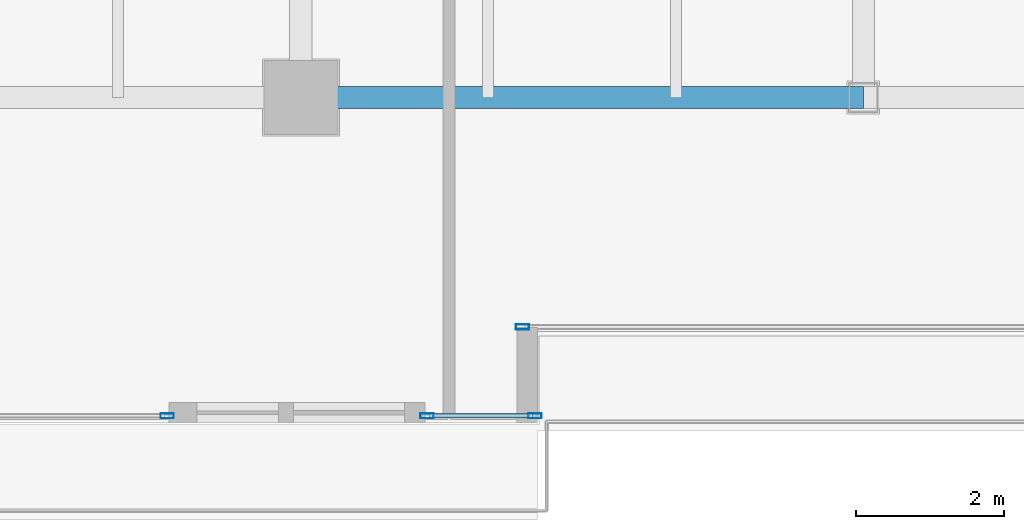
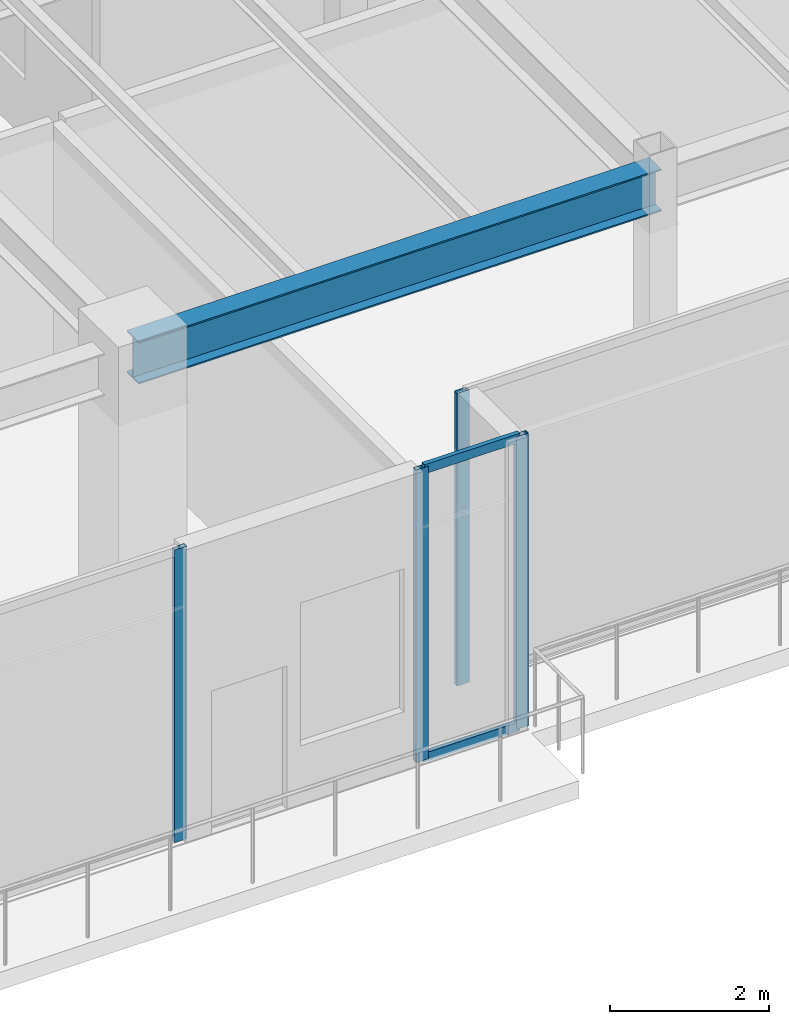
# One storey, part 7 of 37: 6 members, 1 beam, 3 elements without a shape of their own.
"""IFC4 building model written with IfcOpenShell, lengths in metres."""

from ifc_helpers import new_model, si_unit, direction, frame, origin, origin_2d, place, context, subcontext, project, spatial, hollow_rectangle, i_section, extrude, source, transform, mapped, material, layer, layer_set, material_profile, profile_set, type_object, type_shapes, element, aggregate, save


model = new_model("IFC4")

# Units and contexts
model_context = context("Model", 3, precision=1e-05, world=origin(), true_north=direction((0.0, 1.0)))
body_context = subcontext(model_context, "Body", "Model", "MODEL_VIEW")
ifc_project = project(units=[si_unit("LENGTHUNIT", "METRE"), si_unit("AREAUNIT", "SQUARE_METRE"), si_unit("VOLUMEUNIT", "CUBIC_METRE"), si_unit("PLANEANGLEUNIT", "RADIAN"), si_unit("MASSUNIT", "GRAM", prefix="KILO")], contexts=[model_context])

# Site, building, storey
site_placement = place(None, origin())
site = spatial("IfcSite", under=ifc_project, at=site_placement, CompositionType="ELEMENT")
building_placement = place(site_placement, origin())
building = spatial("IfcBuilding", under=site, at=building_placement, Name="Haelvirn Gate Laboratories", CompositionType="ELEMENT")
storey_placement = place(building_placement, frame((0.0, 0.0, 196.60009765625)))
storey = spatial("IfcBuildingStorey", under=building, at=storey_placement, Name="L47", CompositionType="ELEMENT", Elevation=196.60009765625)

# Beam
ifc_material_1 = material(Name="Steel SM355", Category="steel")
ifc_material_profile_1 = material_profile(ifc_material_1, i_section(OverallWidth=0.300048828125, OverallDepth=0.64990234375, WebThickness=0.012939453125, FlangeThickness=0.02197265625, at=origin_2d()), Name="H-650x300x13x22")
ifc_profile_set_1 = profile_set([ifc_material_profile_1], Name="Steel SM355")
beam_type = type_object("IfcBeamType", Name="BM-G-650", PredefinedType="BEAM", material=ifc_profile_set_1)
shared_shape_1 = source(origin(), body_context, "Body", "SweptSolid", [
    extrude(i_section(OverallWidth=0.300048828125, OverallDepth=0.64990234375, WebThickness=0.012939453125, FlangeThickness=0.02197265625, at=origin_2d()), origin(), (0.0, 0.0, 1.0), 7.60009765625),
])
type_shapes(beam_type, [shared_shape_1])
beam_placement = place(storey_placement, frame((22.199951171875, 7.0, 4.1748046875), z_axis=(1.0, 0.0, 0.0), x_axis=(0.0, 1.0, 0.0)))
element("IfcBeam", 1, at=beam_placement, inside=storey, type_object=beam_type, Name="L47 Primary Girder Y7.0 (22.2-29.8)", PredefinedType="BEAM", context=body_context, shape_type="MappedRepresentation", body=[
    mapped(shared_shape_1, transform((0.0, 0.0, 0.0), scale=1.0)),
])

# Curtain wall, member
ifc_material_2 = material(Name="Anodised bronze unitised aluminium & triple low-E glass", Category="aluminium")
ifc_layer = layer(ifc_material_2, 0.176025390625, Name="CW-SYS-4")
ifc_layer_set = layer_set([ifc_layer], Name="Anodised bronze unitised aluminium & triple low-E glass")
curtain_wall_type = type_object("IfcCurtainWallType", Name="CW-SYS-4", PredefinedType="NOTDEFINED", material=ifc_layer_set)
curtain_wall_1_placement = place(storey_placement, origin())
curtain_wall_1 = element("IfcCurtainWall", 2, at=curtain_wall_1_placement, inside=storey, type_object=curtain_wall_type, Name="L47 Unitised Curtain Wall CW-L47-P0-E00-1", PredefinedType="NOTDEFINED")
ifc_material_3 = material(Name="Extruded aluminium 6063-T6 (anodised bronze)", Category="aluminium")
ifc_material_profile_2 = material_profile(ifc_material_3, hollow_rectangle(XDim=0.070068359375, YDim=0.179931640625, WallThickness=0.0048828125, at=origin_2d()), Name="CWM-180x70x5")
ifc_profile_set_2 = profile_set([ifc_material_profile_2], Name="Extruded aluminium 6063-T6 (anodised bronze)")
member_type_1 = type_object("IfcMemberType", Name="CWM-T180", PredefinedType="MULLION", material=ifc_profile_set_2)
shared_shape_2 = source(origin(), body_context, "Body", "SweptSolid", [
    extrude(hollow_rectangle(XDim=0.070068359375, YDim=0.179931640625, WallThickness=0.0048828125, at=origin_2d()), origin(), (0.0, 0.0, 1.0), 4.5),
])
type_shapes(member_type_1, [shared_shape_2])
member_1_placement = place(storey_placement, frame((20.39501953125, 2.699951171875, 0.0), z_axis=(0.0, 0.0, 1.0), x_axis=(0.0, 1.0, 0.0)))
member_1 = element("IfcMember", 3, at=member_1_placement, type_object=member_type_1, Name="CW4 mullion 3", PredefinedType="MULLION", context=body_context, shape_type="MappedRepresentation", body=[
    mapped(shared_shape_2, transform((0.0, 0.0, 0.0), scale=1.0)),
])
aggregate(curtain_wall_1, [member_1])

# Curtain wall, members
curtain_wall_2_placement = place(storey_placement, origin())
curtain_wall_2 = element("IfcCurtainWall", 4, at=curtain_wall_2_placement, inside=storey, type_object=curtain_wall_type, Name="L47 Unitised Curtain Wall CW-L47-P0-E00-2", PredefinedType="NOTDEFINED")
member_2_placement = place(storey_placement, frame((23.905029296875, 2.699951171875, 0.0), z_axis=(0.0, 0.0, 1.0), x_axis=(0.0, 1.0, 0.0)))
member_2 = element("IfcMember", 5, at=member_2_placement, type_object=member_type_1, Name="CW4 mullion 1", PredefinedType="MULLION", context=body_context, shape_type="MappedRepresentation", body=[
    mapped(shared_shape_2, transform((0.0, 0.0, 0.0), scale=1.0)),
])
member_3_placement = place(storey_placement, frame((25.364990234375, 2.699951171875, 0.0), z_axis=(0.0, 0.0, 1.0), x_axis=(0.0, 1.0, 0.0)))
member_3 = element("IfcMember", 6, at=member_3_placement, type_object=member_type_1, Name="CW4 mullion 2", PredefinedType="MULLION", context=body_context, shape_type="MappedRepresentation", body=[
    mapped(shared_shape_2, transform((0.0, 0.0, 0.0), scale=1.0)),
])

# Curtain wall, member
curtain_wall_3_placement = place(storey_placement, origin())
curtain_wall_3 = element("IfcCurtainWall", 7, at=curtain_wall_3_placement, inside=storey, type_object=curtain_wall_type, Name="L47 Unitised Curtain Wall CW-L47-P0-E02-1", PredefinedType="NOTDEFINED")
member_4_placement = place(storey_placement, frame((25.195068359375, 3.89990234375, 0.0), z_axis=(0.0, 0.0, 1.0), x_axis=(0.0, 1.0, 0.0)))
member_4 = element("IfcMember", 8, at=member_4_placement, type_object=member_type_1, Name="CW4 mullion 1", PredefinedType="MULLION", context=body_context, shape_type="MappedRepresentation", body=[
    mapped(shared_shape_2, transform((0.0, 0.0, 0.0), scale=1.0)),
])
aggregate(curtain_wall_3, [member_4])

# Member
ifc_material_profile_3 = material_profile(ifc_material_3, hollow_rectangle(XDim=0.06494140625, YDim=0.139892578125, WallThickness=0.00390625, at=origin_2d()), Name="CWT-140x65x4")
ifc_profile_set_3 = profile_set([ifc_material_profile_3], Name="Extruded aluminium 6063-T6 (anodised bronze)")
member_type_2 = type_object("IfcMemberType", Name="CWT-T140", PredefinedType="USERDEFINED", material=ifc_profile_set_3)
shared_shape_3 = source(origin(), body_context, "Body", "SweptSolid", [
    extrude(hollow_rectangle(XDim=0.06494140625, YDim=0.139892578125, WallThickness=0.00390625, at=origin_2d()), origin(), (0.0, 0.0, 1.0), 1.39013671875),
])
type_shapes(member_type_2, [shared_shape_3])
member_5_placement = place(storey_placement, frame((23.93994140625, 2.699951171875, 0.032470703125), z_axis=(1.0, 0.0, 0.0), x_axis=(0.0, 1.0, 0.0)))
member_5 = element("IfcMember", 9, at=member_5_placement, type_object=member_type_2, Name="CW4 transom 1.1", ObjectType="TRANSOM", PredefinedType="USERDEFINED", context=body_context, shape_type="MappedRepresentation", body=[
    mapped(shared_shape_3, transform((0.0, 0.0, 0.0), scale=1.0)),
])

member_6_placement = place(storey_placement, frame((23.93994140625, 2.699951171875, 4.46728515625), z_axis=(1.0, 0.0, 0.0), x_axis=(0.0, 1.0, 0.0)))
member_6 = element("IfcMember", 10, at=member_6_placement, type_object=member_type_2, Name="CW4 transom 1.2", ObjectType="TRANSOM", PredefinedType="USERDEFINED", context=body_context, shape_type="MappedRepresentation", body=[
    mapped(shared_shape_3, transform((0.0, 0.0, 0.0), scale=1.0)),
])

aggregate(curtain_wall_2, [member_2, member_3, member_5, member_6])

save(model, "model.ifc")
